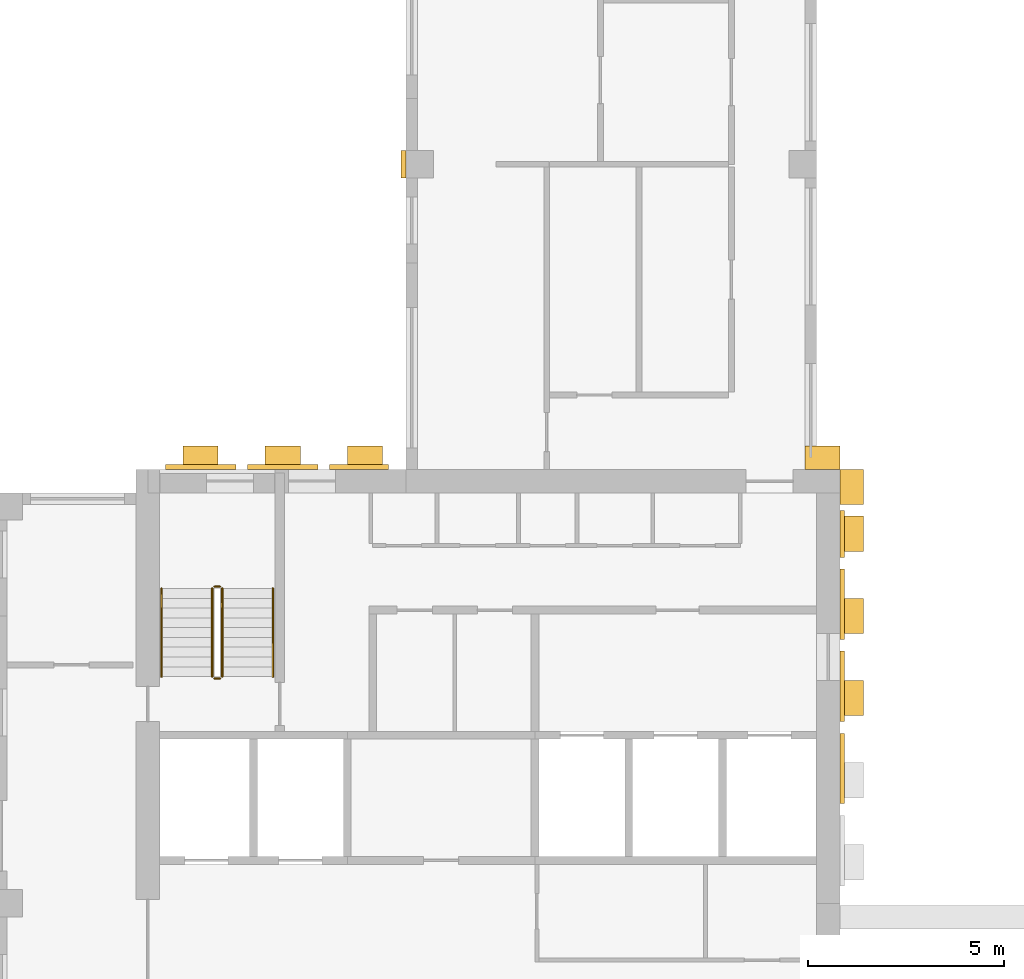
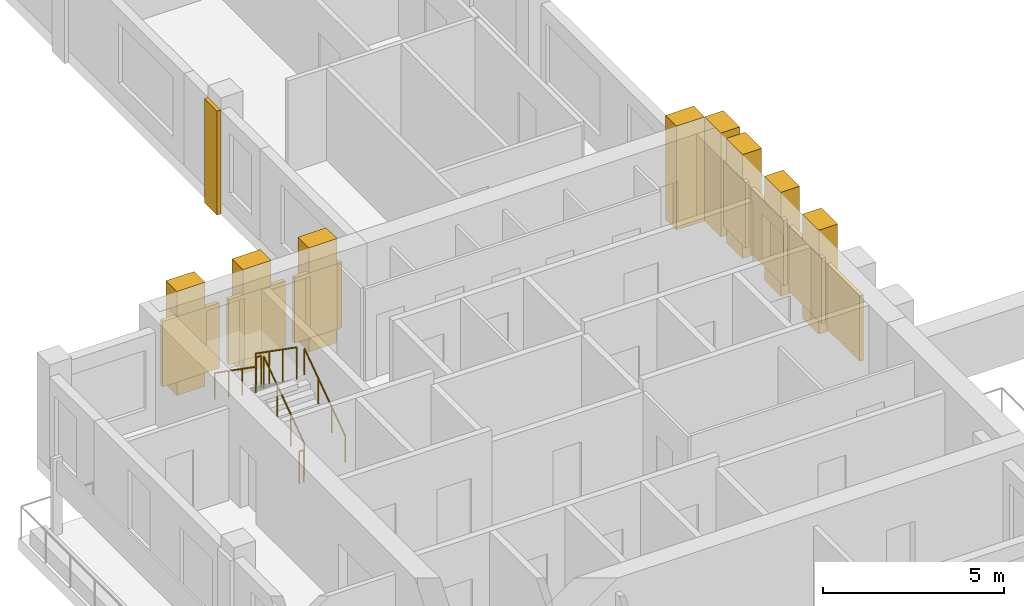
# One storey, part 7 of 9: 16 coverings, 6 railings.
"""IFC4 building model written with IfcOpenShell, lengths in metres."""

from ifc_helpers import new_model, si_unit, direction, frame, origin, origin_2d, place, context, subcontext, project, spatial, rectangle, circle, extrude, source, transform, mapped, material, type_object, element, save


model = new_model("IFC4")

# Units and contexts
model_context = context("Model", 3, precision=1e-05, world=origin(), true_north=direction((0.0, 1.0)))
body_context = subcontext(model_context, "Body", "Model", "MODEL_VIEW")
ifc_project = project(units=[si_unit("LENGTHUNIT", "METRE"), si_unit("AREAUNIT", "SQUARE_METRE"), si_unit("VOLUMEUNIT", "CUBIC_METRE"), si_unit("PLANEANGLEUNIT", "RADIAN"), si_unit("MASSUNIT", "GRAM", prefix="KILO")], contexts=[model_context])

# Site, building, storey
site_placement = place(None, origin())
site = spatial("IfcSite", under=ifc_project, at=site_placement, CompositionType="ELEMENT")
building_placement = place(site_placement, origin())
building = spatial("IfcBuilding", under=site, at=building_placement, Name="Aurelian Terraces", CompositionType="ELEMENT")
storey_placement = place(building_placement, frame((0.0, 0.0, 305.5)))
storey = spatial("IfcBuildingStorey", under=building, at=storey_placement, Name="L70", CompositionType="ELEMENT", Elevation=305.5)

# Coverings
ifc_material_1 = material(Name="Terracotta rainscreen cladding louvre blades", Category="masonry")
covering_type_1 = type_object("IfcCoveringType", Name="LOUVRE-TC", PredefinedType="CLADDING", material=ifc_material_1)
shared_shape_1 = source(origin(), body_context, "Body", "SweptSolid", [
    extrude(rectangle(XDim=0.12, YDim=1.8, at=origin_2d()), origin(), (0.0, 0.0, 1.0), 2.2),
])
for number, where, z_axis, x_axis, name in (
    (1, (21.66, 13.95, 0.45), (0.0, 0.0, 1.0), (1.0, 0.0, 0.0), "LOUVRE L70 core face E.2"),
    (2, (21.66, 16.05, 0.45), (0.0, 0.0, 1.0), (1.0, 0.0, 0.0), "LOUVRE L70 core face E.3"),
    (3, (21.66, 18.15, 0.45), (0.0, 0.0, 1.0), (1.0, 0.0, 0.0), "LOUVRE L70 core face E.4"),
):
    element("IfcCovering", number, at=place(storey_placement, frame(where, z_axis=z_axis, x_axis=x_axis)), inside=storey, type_object=covering_type_1, Name=name, PredefinedType="CLADDING", context=body_context, shape_type="MappedRepresentation", body=[
        mapped(shared_shape_1, transform((0.0, 0.0, 0.0), scale=1.0)),
    ])
shared_shape_2 = source(origin(), body_context, "Body", "SweptSolid", [
    extrude(rectangle(XDim=1.8, YDim=0.12, at=origin_2d()), origin(), (0.0, 0.0, 1.0), 2.2),
])
for number, where, z_axis, x_axis, name in (
    (4, (5.25, 21.66, 0.45), (0.0, 0.0, 1.0), (1.0, 0.0, 0.0), "LOUVRE L70 core face N.1"),
    (5, (7.35, 21.66, 0.45), (0.0, 0.0, 1.0), (1.0, 0.0, 0.0), "LOUVRE L70 core face N.2"),
):
    element("IfcCovering", number, at=place(storey_placement, frame(where, z_axis=z_axis, x_axis=x_axis)), inside=storey, type_object=covering_type_1, Name=name, PredefinedType="CLADDING", context=body_context, shape_type="MappedRepresentation", body=[
        mapped(shared_shape_2, transform((0.0, 0.0, 0.0), scale=1.0)),
    ])
ifc_material_2 = material(Name="Terracotta rainscreen cladding relief", Category="masonry")
covering_type_2 = type_object("IfcCoveringType", Name="BAGUETTE-TC", PredefinedType="CLADDING", material=ifc_material_2)
shared_shape_3 = source(origin(), body_context, "Body", "SweptSolid", [
    extrude(rectangle(XDim=0.12, YDim=0.7, at=origin_2d()), origin(), (0.0, 0.0, 1.0), 3.5),
])
covering_1_placement = place(storey_placement, frame((10.44, 29.4, -0.4), z_axis=(0.0, 0.0, 1.0), x_axis=(1.0, 0.0, 0.0)))
element("IfcCovering", 6, at=covering_1_placement, inside=storey, type_object=covering_type_2, Name="BAGUETTE pier L70 5", PredefinedType="CLADDING", context=body_context, shape_type="MappedRepresentation", body=[
    mapped(shared_shape_3, transform((0.0, 0.0, 0.0), scale=1.0)),
])
shared_shape_4 = source(origin(), body_context, "Body", "SweptSolid", [
    extrude(rectangle(XDim=0.12, YDim=1.2, at=origin_2d()), origin(), (0.0, 0.0, 1.0), 2.2),
])
covering_2_placement = place(storey_placement, frame((21.66, 19.95, 0.45), z_axis=(0.0, 0.0, 1.0), x_axis=(1.0, 0.0, 0.0)))
element("IfcCovering", 7, at=covering_2_placement, inside=storey, type_object=covering_type_1, Name="LOUVRE L70 core face E.5", PredefinedType="CLADDING", context=body_context, shape_type="MappedRepresentation", body=[
    mapped(shared_shape_4, transform((0.0, 0.0, 0.0), scale=1.0)),
])
shared_shape_5 = source(origin(), body_context, "Body", "SweptSolid", [
    extrude(rectangle(XDim=1.5, YDim=0.12, at=origin_2d()), origin(), (0.0, 0.0, 1.0), 2.2),
])
covering_3_placement = place(storey_placement, frame((9.3, 21.66, 0.45), z_axis=(0.0, 0.0, 1.0), x_axis=(1.0, 0.0, 0.0)))
element("IfcCovering", 8, at=covering_3_placement, inside=storey, type_object=covering_type_1, Name="LOUVRE L70 core face N.3", PredefinedType="CLADDING", context=body_context, shape_type="MappedRepresentation", body=[
    mapped(shared_shape_5, transform((0.0, 0.0, 0.0), scale=1.0)),
])

# Railings
ifc_material_3 = material(Name="Stainless steel", Category="steel")
railing_type_1 = type_object("IfcRailingType", Name="Stair guard 1100", PredefinedType="GUARDRAIL", material=ifc_material_3)
shared_shape_6 = source(origin(), body_context, "Body", "SweptSolid", [
    extrude(circle(Radius=0.024, at=origin_2d()), frame((0.0, 0.0, 1.076), z_axis=(-1.0, 0.0, 0.0), x_axis=(0.0, -1.0, 0.0)), (0.0, 0.0, 1.0), 0.15),
    extrude(circle(Radius=0.021, at=origin_2d()), origin(), (0.0, 0.0, 1.0), 1.052),
    extrude(circle(Radius=0.021, at=origin_2d()), frame((-0.15, 0.0, 0.0)), (0.0, 0.0, 1.0), 1.052),
])
for number, where, name in (
    (9, (5.75, 18.6, 1.75), "L70 S1 stair guard 2"),
    (10, (5.75, 16.25, 0.0), "L70 S1 stair guard 4"),
):
    element("IfcRailing", number, at=place(storey_placement, frame(where)), inside=storey, type_object=railing_type_1, Name=name, PredefinedType="GUARDRAIL", context=body_context, shape_type="MappedRepresentation", body=[
        mapped(shared_shape_6, transform((0.0, 0.0, 0.0), scale=1.0)),
    ])
shared_shape_7 = source(origin(), body_context, "Body", "SweptSolid", [
    extrude(circle(Radius=0.024, at=origin_2d()), frame((0.0, 0.0, 1.076), z_axis=(0.0, 0.819231920519, 0.573462344363), x_axis=(-1.0, 0.0, 0.0)), (0.0, 0.0, 1.0), 2.7465),
    extrude(circle(Radius=0.021, at=origin_2d()), origin(), (0.0, 0.0, 1.0), 1.052),
    extrude(circle(Radius=0.021, at=origin_2d()), frame((0.0, 0.75, 0.525)), (0.0, 0.0, 1.0), 1.052),
    extrude(circle(Radius=0.021, at=origin_2d()), frame((0.0, 1.5, 1.05)), (0.0, 0.0, 1.0), 1.052),
    extrude(circle(Radius=0.021, at=origin_2d()), frame((0.0, 2.25, 1.575)), (0.0, 0.0, 1.0), 1.052),
])
railing_1_placement = place(storey_placement, frame((5.8, 16.3, 0.175)))
element("IfcRailing", 11, at=railing_1_placement, inside=storey, type_object=railing_type_1, Name="L70 S1 stair guard 1", PredefinedType="GUARDRAIL", context=body_context, shape_type="MappedRepresentation", body=[
    mapped(shared_shape_7, transform((0.0, 0.0, 0.0), scale=1.0)),
])
shared_shape_8 = source(origin(), body_context, "Body", "SweptSolid", [
    extrude(circle(Radius=0.024, at=origin_2d()), frame((0.0, 0.0, 1.076), z_axis=(0.0, -0.819231920519, 0.573462344363), x_axis=(1.0, 0.0, 0.0)), (0.0, 0.0, 1.0), 2.7465),
    extrude(circle(Radius=0.021, at=origin_2d()), origin(), (0.0, 0.0, 1.0), 1.052),
    extrude(circle(Radius=0.021, at=origin_2d()), frame((0.0, -0.75, 0.525)), (0.0, 0.0, 1.0), 1.052),
    extrude(circle(Radius=0.021, at=origin_2d()), frame((0.0, -1.5, 1.05)), (0.0, 0.0, 1.0), 1.052),
    extrude(circle(Radius=0.021, at=origin_2d()), frame((0.0, -2.25, 1.575)), (0.0, 0.0, 1.0), 1.052),
])
railing_2_placement = place(storey_placement, frame((5.55, 18.55, 1.925)))
element("IfcRailing", 12, at=railing_2_placement, inside=storey, type_object=railing_type_1, Name="L70 S1 stair guard 3", PredefinedType="GUARDRAIL", context=body_context, shape_type="MappedRepresentation", body=[
    mapped(shared_shape_8, transform((0.0, 0.0, 0.0), scale=1.0)),
])
railing_type_2 = type_object("IfcRailingType", Name="Stair handrail", PredefinedType="HANDRAIL", material=ifc_material_3)
shared_shape_9 = source(origin(), body_context, "Body", "SweptSolid", [
    extrude(circle(Radius=0.024, at=origin_2d()), frame((0.0, 0.0, 0.876), z_axis=(0.0, 0.819231920519, 0.573462344363), x_axis=(-1.0, 0.0, 0.0)), (0.0, 0.0, 1.0), 2.7465),
    extrude(circle(Radius=0.021, at=origin_2d()), origin(), (0.0, 0.0, 1.0), 0.852),
    extrude(circle(Radius=0.021, at=origin_2d()), frame((0.0, 0.75, 0.525)), (0.0, 0.0, 1.0), 0.852),
    extrude(circle(Radius=0.021, at=origin_2d()), frame((0.0, 1.5, 1.05)), (0.0, 0.0, 1.0), 0.852),
    extrude(circle(Radius=0.021, at=origin_2d()), frame((0.0, 2.25, 1.575)), (0.0, 0.0, 1.0), 0.852),
])
railing_3_placement = place(storey_placement, frame((7.1, 16.3, 0.175)))
element("IfcRailing", 13, at=railing_3_placement, inside=storey, type_object=railing_type_2, Name="L70 S1 stair handrail 1", PredefinedType="HANDRAIL", context=body_context, shape_type="MappedRepresentation", body=[
    mapped(shared_shape_9, transform((0.0, 0.0, 0.0), scale=1.0)),
])
shared_shape_10 = source(origin(), body_context, "Body", "SweptSolid", [
    extrude(circle(Radius=0.024, at=origin_2d()), frame((0.0, 0.0, 0.876), z_axis=(0.0, -0.819231920519, 0.573462344363), x_axis=(1.0, 0.0, 0.0)), (0.0, 0.0, 1.0), 2.7465),
    extrude(circle(Radius=0.021, at=origin_2d()), origin(), (0.0, 0.0, 1.0), 0.852),
    extrude(circle(Radius=0.021, at=origin_2d()), frame((0.0, -0.75, 0.525)), (0.0, 0.0, 1.0), 0.852),
    extrude(circle(Radius=0.021, at=origin_2d()), frame((0.0, -1.5, 1.05)), (0.0, 0.0, 1.0), 0.852),
    extrude(circle(Radius=0.021, at=origin_2d()), frame((0.0, -2.25, 1.575)), (0.0, 0.0, 1.0), 0.852),
])
railing_4_placement = place(storey_placement, frame((4.25, 18.55, 1.925)))
element("IfcRailing", 14, at=railing_4_placement, inside=storey, type_object=railing_type_2, Name="L70 S1 stair handrail 2", PredefinedType="HANDRAIL", context=body_context, shape_type="MappedRepresentation", body=[
    mapped(shared_shape_10, transform((0.0, 0.0, 0.0), scale=1.0)),
])

# Coverings
covering_type_3 = type_object("IfcCoveringType", Name="Core spine pier 900x600", PredefinedType="CLADDING", material=ifc_material_2)
shared_shape_11 = source(origin(), body_context, "Body", "SweptSolid", [
    extrude(rectangle(XDim=0.6, YDim=0.9, at=origin_2d()), origin(), (0.0, 0.0, 1.0), 3.5),
])
for number, where, z_axis, x_axis, name in (
    (15, (21.9, 15.75, 0.0), (0.0, 0.0, 1.0), (1.0, 0.0, 0.0), "Spine pier L70 E3"),
    (16, (21.9, 17.85, 0.0), (0.0, 0.0, 1.0), (1.0, 0.0, 0.0), "Spine pier L70 E4"),
    (17, (21.9, 19.95, 0.0), (0.0, 0.0, 1.0), (1.0, 0.0, 0.0), "Spine pier L70 E5"),
    (18, (21.9, 21.15, 0.0), (0.0, 0.0, 1.0), (1.0, 0.0, 0.0), "Spine pier L70 corner east"),
):
    element("IfcCovering", number, at=place(storey_placement, frame(where, z_axis=z_axis, x_axis=x_axis)), inside=storey, type_object=covering_type_3, Name=name, PredefinedType="CLADDING", context=body_context, shape_type="MappedRepresentation", body=[
        mapped(shared_shape_11, transform((0.0, 0.0, 0.0), scale=1.0)),
    ])
shared_shape_12 = source(origin(), body_context, "Body", "SweptSolid", [
    extrude(rectangle(XDim=0.9, YDim=0.6, at=origin_2d()), origin(), (0.0, 0.0, 1.0), 3.5),
])
for number, where, z_axis, x_axis, name in (
    (19, (5.25, 21.9, 0.0), (0.0, 0.0, 1.0), (1.0, 0.0, 0.0), "Spine pier L70 N6"),
    (20, (7.35, 21.9, 0.0), (0.0, 0.0, 1.0), (1.0, 0.0, 0.0), "Spine pier L70 N7"),
    (21, (9.45, 21.9, 0.0), (0.0, 0.0, 1.0), (1.0, 0.0, 0.0), "Spine pier L70 N8"),
    (22, (21.15, 21.9, 0.0), (0.0, 0.0, 1.0), (1.0, 0.0, 0.0), "Spine pier L70 corner north"),
):
    element("IfcCovering", number, at=place(storey_placement, frame(where, z_axis=z_axis, x_axis=x_axis)), inside=storey, type_object=covering_type_3, Name=name, PredefinedType="CLADDING", context=body_context, shape_type="MappedRepresentation", body=[
        mapped(shared_shape_12, transform((0.0, 0.0, 0.0), scale=1.0)),
    ])

save(model, "model.ifc")
